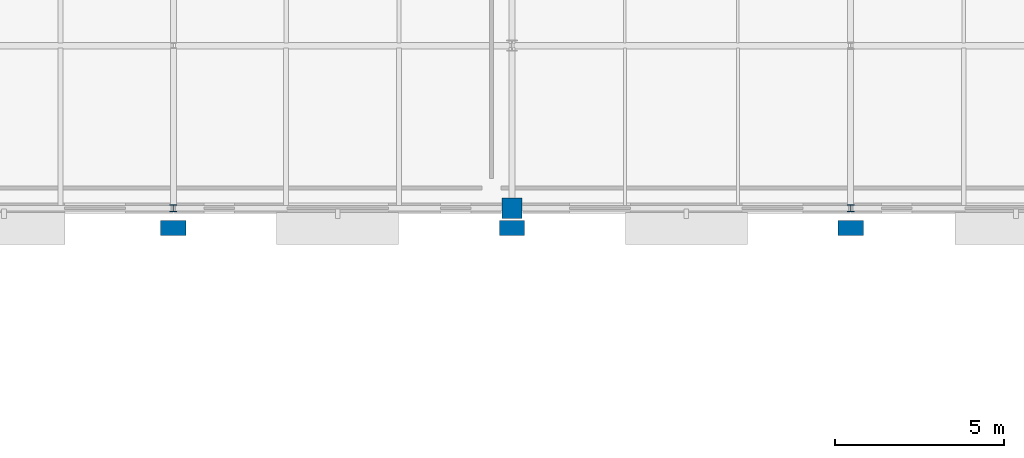
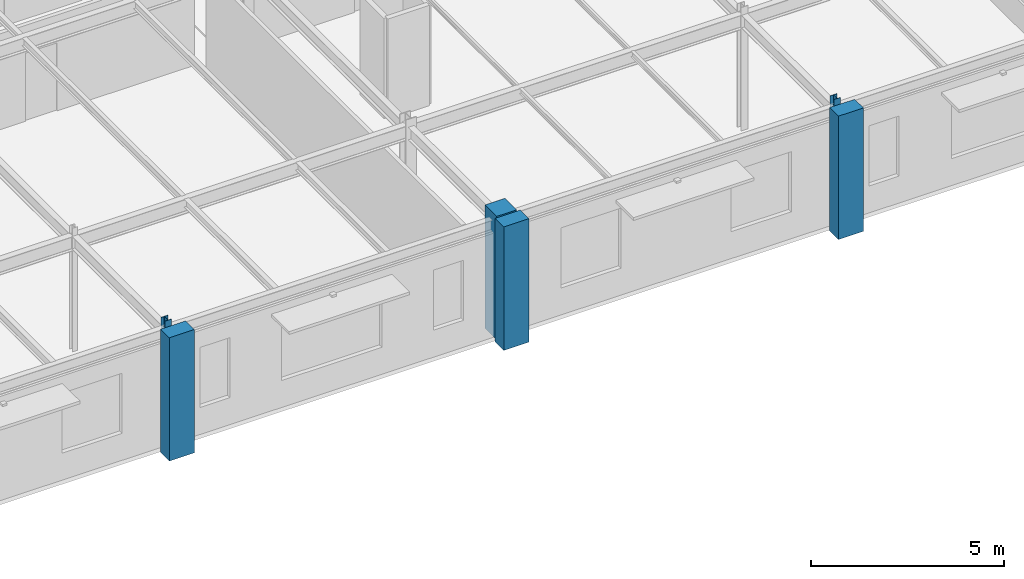
# One storey, part 17 of 98: 6 columns.
"""IFC4 building model written with IfcOpenShell, lengths in metres."""

import ifcopenshell
import ifcopenshell.guid

model = None  # the IFC model being written
_history = None  # IfcOwnerHistory: only IFC2X3 demands one
_inside = {}  # id of a spatial element -> (the spatial element, [elements in it])
_under = {}  # id of a project, library or spatial element -> (it, [spatial elements below it])
_declared = {}  # id of a project -> (the project, [libraries it declares])
_typed = {}  # id of a type object -> (the type object, [elements of that type])
_made_of = {}  # id of a material, layer set ... -> (it, [elements and type objects made of it])


def new_model(schema):
    """Start an empty IFC model of exactly this schema.

    Asked for "IFC4X3", IfcOpenShell would pick the latest addendum, in which some entities
    have other attributes; the version numbers below select the first issue.
    IFC2X3 requires an IfcOwnerHistory on every rooted entity: one is made here for all.
    """
    global model, _history
    if schema == "IFC4X3":
        model = ifcopenshell.file(schema_version=(4, 3, 0, 0))
    else:
        model = ifcopenshell.file(schema=schema)
    _inside.clear()
    _under.clear()
    _declared.clear()
    _typed.clear()
    _made_of.clear()
    _history = None
    if model.schema == "IFC2X3":
        org = make("IfcOrganization", Name="unknown")
        user = make(
            "IfcPersonAndOrganization",
            ThePerson=make("IfcPerson", FamilyName="unknown"),
            TheOrganization=org,
        )
        app = make(
            "IfcApplication",
            ApplicationDeveloper=org,
            Version="unknown",
            ApplicationFullName="unknown",
            ApplicationIdentifier="unknown",
        )
        _history = make(
            "IfcOwnerHistory",
            OwningUser=user,
            OwningApplication=app,
            ChangeAction="ADDED",
            CreationDate=0,
        )
    return model


def make(cls, **values):
    """One entity of the class cls with the attributes given. An attribute that is None is left unset."""
    return model.create_entity(
        cls, **{name: value for name, value in values.items() if value is not None}
    )


def rooted(cls, **values):
    """An entity with a GlobalId (a new one), such as an element, a storey or a relation."""
    return make(cls, GlobalId=ifcopenshell.guid.new(), OwnerHistory=_history, **values)


def si_unit(unit_type, name, prefix=None):
    """IfcSIUnit, for example si_unit("LENGTHUNIT", "METRE", prefix="MILLI")."""
    return make("IfcSIUnit", UnitType=unit_type, Prefix=prefix, Name=name)


def derived_unit(unit_type, elements):
    """IfcDerivedUnit: a product of units, each with its exponent."""
    return make(
        "IfcDerivedUnit",
        Elements=[
            make("IfcDerivedUnitElement", Unit=unit, Exponent=power)
            for unit, power in elements
        ],
        UnitType=unit_type,
    )


def assignment(units):
    """IfcUnitAssignment: the units of a project."""
    return None if units is None else make("IfcUnitAssignment", Units=units)


def point(xyz):
    """IfcCartesianPoint."""
    return None if xyz is None else make("IfcCartesianPoint", Coordinates=xyz)


def direction(xyz):
    """IfcDirection."""
    return None if xyz is None else make("IfcDirection", DirectionRatios=xyz)


def frame(location, z_axis=None, x_axis=None):
    """IfcAxis2Placement3D, a coordinate frame: its origin and axes. An axis left out is left unset."""
    return make(
        "IfcAxis2Placement3D",
        Location=point(location),
        Axis=direction(z_axis),
        RefDirection=direction(x_axis),
    )


def frame_2d(location, x_axis=None):
    """IfcAxis2Placement2D, a coordinate frame in the plane: its origin and x axis."""
    return make(
        "IfcAxis2Placement2D", Location=point(location), RefDirection=direction(x_axis)
    )


def origin():
    """The frame at (0, 0, 0) with its axes left unset."""
    return frame((0.0, 0.0, 0.0))


def origin_2d_with_axis():
    """The frame at (0, 0) in the plane with the x axis (1, 0) written out."""
    return frame_2d((0.0, 0.0), x_axis=(1.0, 0.0))


def place(relative_to, where):
    """IfcLocalPlacement: puts the frame where relative to a parent placement (None: the world)."""
    return make(
        "IfcLocalPlacement", PlacementRelTo=relative_to, RelativePlacement=where
    )


def context(
    kind, dimensions, precision=None, world=None, true_north=None, identifier=None
):
    """IfcGeometricRepresentationContext, for example the 3D "Model" context."""
    return make(
        "IfcGeometricRepresentationContext",
        ContextIdentifier=identifier,
        ContextType=kind,
        CoordinateSpaceDimension=dimensions,
        Precision=precision,
        WorldCoordinateSystem=world,
        TrueNorth=true_north,
    )


def subcontext(parent, identifier, kind, view, scale=None):
    """IfcGeometricRepresentationSubContext, for example "Body" below "Model"."""
    return make(
        "IfcGeometricRepresentationSubContext",
        ContextIdentifier=identifier,
        ContextType=kind,
        ParentContext=parent,
        TargetScale=scale,
        TargetView=view,
    )


def project(units=None, contexts=None):
    """IfcProject with its units and contexts."""
    return rooted(
        "IfcProject",
        Name="project",
        RepresentationContexts=contexts,
        UnitsInContext=assignment(units),
    )


def spatial(cls, under=None, at=None, **own):
    """A site, building, storey or space (cls), placed at a placement, below another one or the project."""
    s = rooted(cls, ObjectPlacement=at, **own)
    if under is not None:
        _under.setdefault(under.id(), (under, []))[1].append(s)
    return s


def profile(cls, at=None, kind="AREA", **sizes):
    """A parametric profile (cls). Its sizes go by their IFC names, for example OverallWidth=200.0."""
    return make(cls, ProfileType=kind, Position=at, **sizes)


def rectangle(**sizes):
    """IfcRectangleProfileDef."""
    return profile("IfcRectangleProfileDef", **sizes)


def i_section(**sizes):
    """IfcIShapeProfileDef."""
    return profile("IfcIShapeProfileDef", **sizes)


def extrude(swept, where, along, depth):
    """IfcExtrudedAreaSolid: the profile swept, set in the frame where, extruded along a direction by depth."""
    return make(
        "IfcExtrudedAreaSolid",
        SweptArea=swept,
        Position=where,
        ExtrudedDirection=direction(along),
        Depth=depth,
    )


def shape(context_of_items, identifier, shape_type, items):
    """IfcShapeRepresentation: the items that make up one representation, for example the "Body"."""
    return make(
        "IfcShapeRepresentation",
        ContextOfItems=context_of_items,
        RepresentationIdentifier=identifier,
        RepresentationType=shape_type,
        Items=items,
    )


def material(Name=None, Category=None):
    """IfcMaterial."""
    return make("IfcMaterial", Name=Name, Category=Category)


def material_profile(
    of_material, cross_section, Name=None, Category=None, Priority=None
):
    """IfcMaterialProfile: a cross section and its material."""
    return make(
        "IfcMaterialProfile",
        Name=Name,
        Material=of_material,
        Profile=cross_section,
        Priority=Priority,
        Category=Category,
    )


def profile_set(profiles, Name=None, composite=None):
    """IfcMaterialProfileSet."""
    return make(
        "IfcMaterialProfileSet",
        Name=Name,
        MaterialProfiles=profiles,
        CompositeProfile=composite,
    )


def made_of(thing, what):
    """Note that an element or type object is made of a material, layer set ...; save() writes the relation."""
    if what is not None:
        _made_of.setdefault(what.id(), (what, []))[1].append(thing)
    return thing


def type_object(cls, material=None, **own):
    """A type object (cls), such as IfcWallType, which elements share."""
    return made_of(rooted(cls, **own), material)


def element(
    cls,
    number,
    at=None,
    inside=None,
    cuts=None,
    type_object=None,
    material=None,
    context=None,
    identifier="Body",
    shape_type=None,
    held_by="IfcProductDefinitionShape",
    body=None,
    shapes=None,
    **own,
):
    """One element of the class cls, such as IfcWall. Its Tag is "e" and its number.

    at: its placement. inside: the storey or other place that contains it. cuts: it is an
    opening in that element (IfcRelVoidsElement). A single representation is given by context,
    identifier, shape_type and body (its items); several are given by shapes. held_by: the class
    of the entity that holds the representations. save() writes the other relations.
    """
    e = rooted(cls, Tag="e%d" % number, ObjectPlacement=at, **own)
    if body is not None:
        shapes = [shape(context, identifier, shape_type, body)]
    if shapes is not None:
        e.Representation = make(held_by, Representations=shapes)
    if inside is not None:
        _inside.setdefault(inside.id(), (inside, []))[1].append(e)
    if cuts is not None:
        rooted(
            "IfcRelVoidsElement", RelatingBuildingElement=cuts, RelatedOpeningElement=e
        )
    if type_object is not None:
        _typed.setdefault(type_object.id(), (type_object, []))[1].append(e)
    return made_of(e, material)


def aggregate(whole, parts):
    """IfcRelAggregates: a whole, such as a stair, and the parts it consists of."""
    return rooted("IfcRelAggregates", RelatingObject=whole, RelatedObjects=parts)


def save(model, path):
    """Write the relations noted so far, then the file.

    IfcRelAggregates (storeys below a building ...), IfcRelContainedInSpatialStructure (elements
    in a storey), IfcRelDefinesByType, IfcRelAssociatesMaterial and IfcRelDeclares: one each for
    every whole, place, type object, material and project.
    """
    for whole, parts in _under.values():
        aggregate(whole, parts)
    for where, things in _inside.values():
        rooted(
            "IfcRelContainedInSpatialStructure",
            RelatedElements=things,
            RelatingStructure=where,
        )
    for kind, things in _typed.values():
        rooted("IfcRelDefinesByType", RelatedObjects=things, RelatingType=kind)
    for what, things in _made_of.values():
        rooted("IfcRelAssociatesMaterial", RelatedObjects=things, RelatingMaterial=what)
    for by, libraries in _declared.values():
        rooted("IfcRelDeclares", RelatingContext=by, RelatedDefinitions=libraries)
    model.write(path)


model = new_model("IFC4")

# Units and contexts
model_context = context("Model", 3, precision=1e-05, world=origin(), true_north=direction((0.0, 1.0)))
body_context = subcontext(model_context, "Body", "Model", "MODEL_VIEW")
ifc_project = project(units=[si_unit("LENGTHUNIT", "METRE"), si_unit("AREAUNIT", "SQUARE_METRE"), si_unit("VOLUMEUNIT", "CUBIC_METRE"), si_unit("PLANEANGLEUNIT", "RADIAN"), si_unit("MASSUNIT", "GRAM", prefix="KILO"), derived_unit("THERMALTRANSMITTANCEUNIT", [(si_unit("POWERUNIT", "WATT"), 1), (si_unit("LENGTHUNIT", "METRE"), -2), (si_unit("THERMODYNAMICTEMPERATUREUNIT", "KELVIN"), -1)])], contexts=[model_context])

# Site, building, storey
site_placement = place(None, origin())
site = spatial("IfcSite", under=ifc_project, at=site_placement, CompositionType="ELEMENT")
building_placement = place(site_placement, origin())
building = spatial("IfcBuilding", under=site, at=building_placement, Name="Cinnabar Yard Market Hall", CompositionType="ELEMENT")
storey_placement = place(building_placement, frame((0.0, 0.0, 4.5)))
storey = spatial("IfcBuildingStorey", under=building, at=storey_placement, Name="L01", CompositionType="ELEMENT", Elevation=4.5)

# Columns
ifc_material_1 = material(Name="Steel Grade 300 (300 MPa)", Category="steel")
ifc_material_profile_1 = material_profile(ifc_material_1, i_section(OverallWidth=0.203369140625, OverallDepth=0.203369140625, WebThickness=0.00732421875, FlangeThickness=0.010986328125, FilletRadius=0.011474609375, at=origin_2d_with_axis()), Name="200UC46.2")
ifc_profile_set_1 = profile_set([ifc_material_profile_1], Name="Steel Grade 300 (300 MPa)")
column_type_1 = type_object("IfcColumnType", Name="COL-C13E", PredefinedType="COLUMN", material=ifc_profile_set_1)
column_1_placement = place(storey_placement, frame((96.0, 108.0, 0.0), z_axis=(0.0, 0.0, 1.0), x_axis=(1.0, 0.0, 0.0)))
element("IfcColumn", 1, at=column_1_placement, inside=storey, type_object=column_type_1, Name="Wing Column V3-04-01 L01", PredefinedType="COLUMN", context=body_context, shape_type="SweptSolid", body=[
    extrude(i_section(OverallWidth=0.203369140625, OverallDepth=0.203369140625, WebThickness=0.00732421875, FlangeThickness=0.010986328125, FilletRadius=0.011474609375, at=origin_2d_with_axis()), origin(), (0.0, 0.0, 1.0), 3.89990234375),
])
ifc_material_profile_2 = material_profile(ifc_material_1, i_section(OverallWidth=0.205078125, OverallDepth=0.209716796875, WebThickness=0.00927734375, FlangeThickness=0.01416015625, FilletRadius=0.011474609375, at=origin_2d_with_axis()), Name="200UC59.5")
ifc_profile_set_2 = profile_set([ifc_material_profile_2], Name="Steel Grade 300 (300 MPa)")
column_type_2 = type_object("IfcColumnType", Name="COL-C17E", PredefinedType="COLUMN", material=ifc_profile_set_2)
column_2_placement = place(storey_placement, frame((76.0, 108.0, 0.0), z_axis=(0.0, 0.0, 1.0), x_axis=(1.0, 0.0, 0.0)))
element("IfcColumn", 2, at=column_2_placement, inside=storey, type_object=column_type_2, Name="Wing Column V3-02-01 L01", PredefinedType="COLUMN", context=body_context, shape_type="SweptSolid", body=[
    extrude(i_section(OverallWidth=0.205078125, OverallDepth=0.209716796875, WebThickness=0.00927734375, FlangeThickness=0.01416015625, FilletRadius=0.011474609375, at=origin_2d_with_axis()), origin(), (0.0, 0.0, 1.0), 3.89990234375),
])
ifc_material_2 = material(Name="Concrete 40 MPa", Category="concrete")
ifc_material_profile_3 = material_profile(ifc_material_2, rectangle(XDim=0.75, YDim=0.449951171875, at=origin_2d_with_axis()), Name="RC-750x450")
ifc_profile_set_3 = profile_set([ifc_material_profile_3], Name="Concrete 40 MPa")
column_type_3 = type_object("IfcColumnType", Name="COL-PIL1E", PredefinedType="PILASTER", material=ifc_profile_set_3)
for number, where, z_axis, x_axis, name in (
    (3, (76.0, 107.419921875, 0.0), (0.0, 0.0, 1.0), (1.0, 0.0, 0.0), "Engaged Pilaster 01 L01"),
    (4, (86.0, 107.419921875, 0.0), (0.0, 0.0, 1.0), (1.0, 0.0, 0.0), "Engaged Pilaster 02 L01"),
    (5, (96.0, 107.419921875, 0.0), (0.0, 0.0, 1.0), (1.0, 0.0, 0.0), "Engaged Pilaster 03 L01"),
):
    element("IfcColumn", number, at=place(storey_placement, frame(where, z_axis=z_axis, x_axis=x_axis)), inside=storey, type_object=column_type_3, Name=name, PredefinedType="PILASTER", context=body_context, shape_type="SweptSolid", body=[
        extrude(rectangle(XDim=0.75, YDim=0.449951171875, at=origin_2d_with_axis()), origin(), (0.0, 0.0, 1.0), 3.89990234375),
    ])
ifc_material_profile_4 = material_profile(ifc_material_2, rectangle(XDim=0.60009765625, YDim=0.60009765625, at=origin_2d_with_axis()), Name="RC-600x600")
ifc_profile_set_4 = profile_set([ifc_material_profile_4], Name="Concrete 40 MPa")
column_type_4 = type_object("IfcColumnType", Name="COL-RC2E", PredefinedType="COLUMN", material=ifc_profile_set_4)
column_3_placement = place(storey_placement, frame((86.0, 108.0, 0.0), z_axis=(0.0, 0.0, 1.0), x_axis=(1.0, 0.0, 0.0)))
element("IfcColumn", 6, at=column_3_placement, inside=storey, type_object=column_type_4, Name="Wing Column V3-03-01 L01", PredefinedType="COLUMN", context=body_context, shape_type="SweptSolid", body=[
    extrude(rectangle(XDim=0.60009765625, YDim=0.60009765625, at=origin_2d_with_axis()), origin(), (0.0, 0.0, 1.0), 3.89990234375),
])

save(model, "model.ifc")
